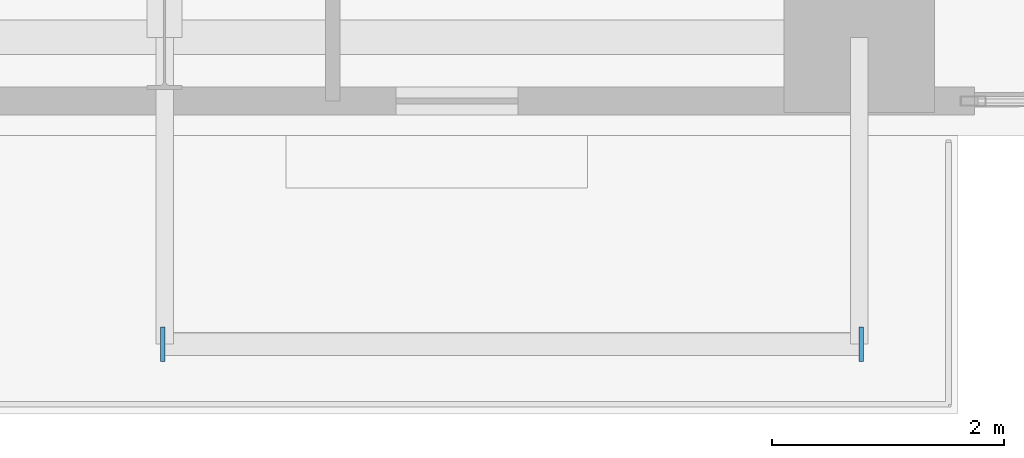
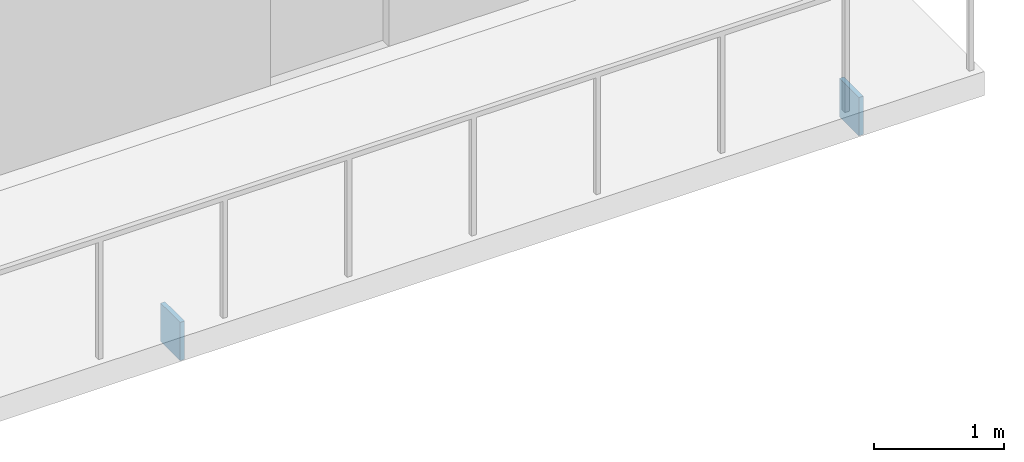
# One storey, part 19 of 27: 2 plates.
"""IFC4 building model written with IfcOpenShell, lengths in metres."""

from ifc_helpers import new_model, si_unit, direction, frame, origin, origin_2d, place, context, subcontext, project, spatial, rectangle, extrude, material, layer, layer_set, type_object, element, save


model = new_model("IFC4")

# Units and contexts
model_context = context("Model", 3, precision=1e-05, world=origin(), true_north=direction((0.0, 1.0)))
body_context = subcontext(model_context, "Body", "Model", "MODEL_VIEW")
ifc_project = project(units=[si_unit("LENGTHUNIT", "METRE"), si_unit("AREAUNIT", "SQUARE_METRE"), si_unit("VOLUMEUNIT", "CUBIC_METRE"), si_unit("PLANEANGLEUNIT", "RADIAN"), si_unit("MASSUNIT", "GRAM", prefix="KILO"), si_unit("THERMODYNAMICTEMPERATUREUNIT", "KELVIN"), si_unit("POWERUNIT", "WATT")], contexts=[model_context])

# Site, building, storey
site_placement = place(None, origin())
site = spatial("IfcSite", under=ifc_project, at=site_placement, CompositionType="ELEMENT")
building_placement = place(site_placement, origin())
building = spatial("IfcBuilding", under=site, at=building_placement, Name="Svarakhadi Broadcast Tower", CompositionType="ELEMENT")
storey_placement = place(building_placement, frame((0.0, 0.0, 44.10009765625)))
storey = spatial("IfcBuildingStorey", under=building, at=storey_placement, Name="L09", CompositionType="ELEMENT", Elevation=44.10009765625)

# Plates
ifc_material = material(Name="Steel S460ML (IS 2062 E450BR)", Category="steel")
ifc_layer = layer(ifc_material, 0.028076171875)
ifc_layer_set = layer_set([ifc_layer], Name="Steel S460ML (IS 2062 E450BR)")
plate_type = type_object("IfcPlateType", Name="Cap_Plate_CP02", PredefinedType="USERDEFINED", material=ifc_layer_set)
for number, where, z_axis, x_axis, name in (
    (1, (41.135009765625, -1.800048828125, -0.580078125), (0.0, 0.0, 1.0), (1.0, 0.0, 0.0), "L09 Balcony Spandrel End Cap Plate 1F-A"),
    (2, (47.1650390625, -1.800048828125, -0.580078125), (0.0, 0.0, 1.0), (1.0, 0.0, 0.0), "L09 Balcony Spandrel End Cap Plate 1F-B"),
):
    element("IfcPlate", number, at=place(storey_placement, frame(where, z_axis=z_axis, x_axis=x_axis)), inside=storey, type_object=plate_type, Name=name, ObjectType="FLANGE_PLATE", PredefinedType="USERDEFINED", context=body_context, shape_type="SweptSolid", body=[
        extrude(rectangle(XDim=0.0400390625, YDim=0.300048828125, at=origin_2d()), origin(), (0.0, 0.0, 1.0), 0.360107421875),
    ])

save(model, "model.ifc")
